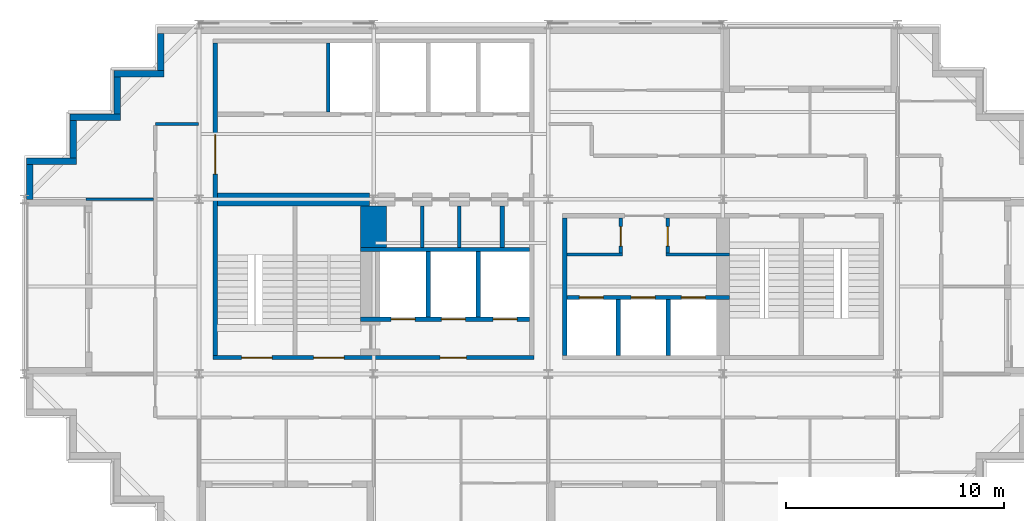
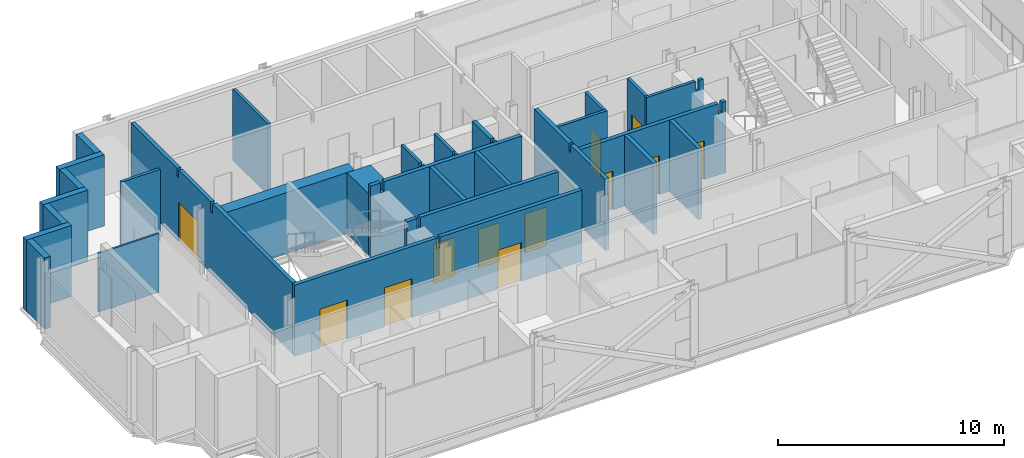
# One storey, part 5 of 9: 29 walls, 12 doors, 12 openings.
"""IFC4 building model written with IfcOpenShell, lengths in metres."""

from ifc_helpers import new_model, si_unit, direction, frame, frame_2d, origin, place, context, subcontext, project, spatial, polyline, rectangle, outline, extrude, material, layer, layer_set, type_object, element, fill, save


model = new_model("IFC4")

# Units and contexts
model_context = context("Model", 3, precision=1e-05, world=origin(), true_north=direction((0.0, 1.0)))
body_context = subcontext(model_context, "Body", "Model", "MODEL_VIEW")
ifc_project = project(units=[si_unit("LENGTHUNIT", "METRE"), si_unit("AREAUNIT", "SQUARE_METRE"), si_unit("VOLUMEUNIT", "CUBIC_METRE"), si_unit("PLANEANGLEUNIT", "RADIAN"), si_unit("MASSUNIT", "GRAM", prefix="KILO")], contexts=[model_context])

# Site, building, storey
site_placement = place(None, origin())
site = spatial("IfcSite", under=ifc_project, at=site_placement, CompositionType="ELEMENT")
building_placement = place(site_placement, origin())
building = spatial("IfcBuilding", under=site, at=building_placement, Name="Immortelle Media Tower", CompositionType="ELEMENT")
storey_placement = place(building_placement, frame((0.0, 0.0, 225.0)))
storey = spatial("IfcBuildingStorey", under=building, at=storey_placement, Name="L48", CompositionType="ELEMENT", Elevation=225.0)

# Walls
ifc_material_1 = material(Name="Fire-rated gypsum board", Category="gypsum")
ifc_layer_1 = layer(ifc_material_1, 0.02490234375)
ifc_material_2 = material(Name="Steel ASTM A653 SS Gr 50 stud frame with mineral wool", Category="steel")
ifc_layer_2 = layer(ifc_material_2, 0.10009765625)
ifc_layer_3 = layer(ifc_material_1, 0.02490234375)
ifc_layer_set_1 = layer_set([ifc_layer_1, ifc_layer_2, ifc_layer_3], Name="Steel ASTM A653 SS Gr 50 stud frame with mineral wool")
wall_type_1 = type_object("IfcWallType", Name="Core partition 150", PredefinedType="PARTITIONING", material=ifc_layer_set_1)
wall_1_placement = place(storey_placement, frame((13.925048828125, 20.0, 0.0), z_axis=(0.0, 0.0, 1.0), x_axis=(0.0, 1.0, 0.0)))
element("IfcWall", 1, at=wall_1_placement, inside=storey, type_object=wall_type_1, Name="Core partition SW", PredefinedType="PARTITIONING", context=body_context, shape_type="SweptSolid", body=[
    extrude(rectangle(XDim=3.14990234375, YDim=0.14990234375, at=frame_2d((1.574951171875, 0.0))), origin(), (0.0, 0.0, 1.0), 3.85009765625),
])
for number, where, z_axis, x_axis, name in (
    (2, (18.22509765625, 13.800048828125, 0.0), (0.0, 0.0, 1.0), (0.0, 1.0, 0.0), "Core partition SW"),
    (3, (19.925048828125, 13.800048828125, 0.0), (0.0, 0.0, 1.0), (0.0, 1.0, 0.0), "Core partition SW"),
):
    element("IfcWall", number, at=place(storey_placement, frame(where, z_axis=z_axis, x_axis=x_axis)), inside=storey, type_object=wall_type_1, Name=name, PredefinedType="PARTITIONING", context=body_context, shape_type="SweptSolid", body=[
        extrude(outline(polyline([(0.0, 0.0), (1.89990234375, 0.0), (1.89990234375, 3.85009765625), (0.27490234375, 3.85009765625), (0.27392578125, 3.43994140625), (0.1259765625, 3.43994140625), (0.125, 3.85009765625), (0.0, 3.85009765625), (0.0, 0.0)])), frame((0.0, 0.074951171875, 0.0), z_axis=(0.0, -1.0, 0.0), x_axis=(1.0, 0.0, 0.0)), (0.0, 0.0, 1.0), 0.14990234375),
    ])
wall_2_placement = place(storey_placement, frame((24.85009765625, 13.47509765625, 0.0), z_axis=(0.0, 0.0, 1.0), x_axis=(1.0, 0.0, 0.0)))
element("IfcWall", 4, at=wall_2_placement, inside=storey, type_object=wall_type_1, Name="Core partition SE", PredefinedType="PARTITIONING", context=body_context, shape_type="SweptSolid", body=[
    extrude(rectangle(XDim=2.5498046875, YDim=0.14990234375, at=frame_2d((1.27490234375, 0.0))), origin(), (0.0, 0.0, 1.0), 3.85009765625),
])

# Wall, opening, door
wall_3_placement = place(storey_placement, frame((27.324951171875, 13.550048828125, 0.0), z_axis=(0.0, 0.0, 1.0), x_axis=(0.0, 1.0, 0.0)))
wall_3 = element("IfcWall", 5, at=wall_3_placement, inside=storey, type_object=wall_type_1, Name="Core partition SE", PredefinedType="PARTITIONING", context=body_context, shape_type="SweptSolid", body=[
    extrude(rectangle(XDim=1.599853515625, YDim=0.14990234375, at=frame_2d((0.7998046875, 0.0))), origin(), (0.0, 0.0, 1.0), 3.85009765625),
])
opening_1_placement = place(wall_3_placement, frame((0.300048828125, 0.0, 0.0)))
opening_1 = element("IfcOpeningElement", 6, at=opening_1_placement, cuts=wall_3, Name="Opening O5-K020", PredefinedType="OPENING", context=body_context, shape_type="SweptSolid", body=[
    extrude(rectangle(XDim=0.89990234375, YDim=2.10009765625, at=frame_2d((0.449951171875, 1.050048828125))), frame((0.0, 0.0849609375, 0.0), z_axis=(0.0, -1.0, 0.0), x_axis=(1.0, 0.0, 0.0)), (0.0, 0.0, 1.0), 0.169921875),
])
ifc_material_3 = material(Name="Galvanised steel door leaf and frame ASTM A653", Category="steel")
door_type_1 = type_object("IfcDoorType", Name="Service door 900 x 2100", OperationType="NOTDEFINED", PredefinedType="NOTDEFINED", material=ifc_material_3)
door_1_placement = place(opening_1_placement, origin())
door_1 = element("IfcDoor", 7, at=door_1_placement, inside=storey, type_object=door_type_1, Name="Service O5-K020", OperationType="SINGLE_SWING_RIGHT", OverallHeight=2.10009765625, OverallWidth=0.89990234375, PredefinedType="NOTDEFINED", context=body_context, shape_type="SweptSolid", body=[
    extrude(rectangle(XDim=0.89990234375, YDim=2.10009765625, at=frame_2d((0.449951171875, 1.050048828125))), frame((0.0, 0.02490234375, 0.0), z_axis=(0.0, -1.0, 0.0), x_axis=(1.0, 0.0, 0.0)), (0.0, 0.0, 1.0), 0.050048828125),
])
fill(opening_1, door_1)

# Wall
wall_4_placement = place(storey_placement, frame((29.39990234375, 13.47509765625, 0.0), z_axis=(0.0, 0.0, 1.0), x_axis=(1.0, 0.0, 0.0)))
element("IfcWall", 8, at=wall_4_placement, inside=storey, type_object=wall_type_1, Name="Core partition SE", PredefinedType="PARTITIONING", context=body_context, shape_type="SweptSolid", body=[
    extrude(outline(polyline([(0.0, 0.0), (2.900146484375, 0.0), (2.89990234375, 3.85009765625), (2.6884765625, 3.85009765625), (2.6875, 3.30810546875), (2.512451171875, 3.30810546875), (2.511474609375, 3.85009765625), (0.0, 3.85009765625), (0.0, 0.0)])), frame((0.0, 0.074951171875, 0.0), z_axis=(0.0, -1.0, 0.0), x_axis=(1.0, 0.0, 0.0)), (0.0, 0.0, 1.0), 0.14990234375),
])

# Wall, opening, door
wall_5_placement = place(storey_placement, frame((29.47509765625, 13.550048828125, 0.0), z_axis=(0.0, 0.0, 1.0), x_axis=(0.0, 1.0, 0.0)))
wall_5 = element("IfcWall", 9, at=wall_5_placement, inside=storey, type_object=wall_type_1, Name="Core partition SE", PredefinedType="PARTITIONING", context=body_context, shape_type="SweptSolid", body=[
    extrude(rectangle(XDim=1.599853515625, YDim=0.14990234375, at=frame_2d((0.7998046875, 0.0))), origin(), (0.0, 0.0, 1.0), 3.85009765625),
])
opening_2_placement = place(wall_5_placement, frame((1.199951171875, 0.0, 0.0), z_axis=(0.0, 0.0, 1.0), x_axis=(-1.0, 0.0, 0.0)))
opening_2 = element("IfcOpeningElement", 10, at=opening_2_placement, cuts=wall_5, Name="Opening O5-K023", PredefinedType="OPENING", context=body_context, shape_type="SweptSolid", body=[
    extrude(rectangle(XDim=0.89990234375, YDim=2.10009765625, at=frame_2d((0.449951171875, 1.050048828125))), frame((0.0, 0.0849609375, 0.0), z_axis=(0.0, -1.0, 0.0), x_axis=(1.0, 0.0, 0.0)), (0.0, 0.0, 1.0), 0.169921875),
])
ifc_material_4 = material(Name="Timber", Category="wood")
door_type_2 = type_object("IfcDoorType", Name="Room door 900 x 2100", OperationType="NOTDEFINED", PredefinedType="NOTDEFINED", material=ifc_material_4)
door_2_placement = place(opening_2_placement, origin())
door_2 = element("IfcDoor", 11, at=door_2_placement, inside=storey, type_object=door_type_2, Name="Room O5-K023", OperationType="SINGLE_SWING_LEFT", OverallHeight=2.10009765625, OverallWidth=0.89990234375, PredefinedType="NOTDEFINED", context=body_context, shape_type="SweptSolid", body=[
    extrude(rectangle(XDim=0.89990234375, YDim=2.10009765625, at=frame_2d((0.449951171875, 1.050048828125))), frame((0.0, 0.02490234375, 0.0), z_axis=(0.0, -1.0, 0.0), x_axis=(1.0, 0.0, 0.0)), (0.0, 0.0, 1.0), 0.050048828125),
])
fill(opening_2, door_2)

# Wall, openings, doors
ifc_layer_4 = layer(ifc_material_1, 0.03759765625)
ifc_layer_5 = layer(ifc_material_2, 0.125)
ifc_layer_6 = layer(ifc_material_1, 0.03759765625)
ifc_layer_set_2 = layer_set([ifc_layer_4, ifc_layer_5, ifc_layer_6], Name="Steel ASTM A653 SS Gr 50 stud frame with mineral wool")
wall_type_2 = type_object("IfcWallType", Name="Core shaft wall 200", PredefinedType="PARTITIONING", material=ifc_layer_set_2)
wall_6_placement = place(storey_placement, frame((15.39990234375, 10.5, 0.0), z_axis=(0.0, 0.0, 1.0), x_axis=(1.0, 0.0, 0.0)))
wall_6 = element("IfcWall", 12, at=wall_6_placement, inside=storey, type_object=wall_type_2, Name="Core shaft wall SW", PredefinedType="PARTITIONING", context=body_context, shape_type="SweptSolid", body=[
    extrude(outline(polyline([(0.0, 0.0), (7.75, 0.0), (7.75, 3.85009765625), (0.6884765625, 3.85009765625), (0.6875, 3.30810546875), (0.512451171875, 3.30810546875), (0.511474609375, 3.85009765625), (0.0, 3.85009765625), (0.0, 0.0)])), frame((0.0, 0.10009765625, 0.0), z_axis=(0.0, -1.0, 0.0), x_axis=(1.0, 0.0, 0.0)), (0.0, 0.0, 1.0), 0.199951171875),
])
opening_3_placement = place(wall_6_placement, frame((1.39990234375, 0.0, 0.0)))
opening_3 = element("IfcOpeningElement", 13, at=opening_3_placement, cuts=wall_6, Name="Opening LD", PredefinedType="OPENING", context=body_context, shape_type="SweptSolid", body=[
    extrude(rectangle(XDim=1.10009765625, YDim=2.10009765625, at=frame_2d((0.550048828125, 1.050048828125))), frame((0.0, 0.10986328125, 0.0), z_axis=(0.0, -1.0, 0.0), x_axis=(1.0, 0.0, 0.0)), (0.0, 0.0, 1.0), 0.219970703125),
])
opening_4_placement = place(wall_6_placement, frame((3.699951171875, 0.0, 0.0)))
opening_4 = element("IfcOpeningElement", 14, at=opening_4_placement, cuts=wall_6, Name="Opening LD", PredefinedType="OPENING", context=body_context, shape_type="SweptSolid", body=[
    extrude(rectangle(XDim=1.10009765625, YDim=2.10009765625, at=frame_2d((0.550048828125, 1.050048828125))), frame((0.0, 0.10986328125, 0.0), z_axis=(0.0, -1.0, 0.0), x_axis=(1.0, 0.0, 0.0)), (0.0, 0.0, 1.0), 0.219970703125),
])
opening_5_placement = place(wall_6_placement, frame((6.074951171875, 0.0, 0.0)))
opening_5 = element("IfcOpeningElement", 15, at=opening_5_placement, cuts=wall_6, Name="Opening LD", PredefinedType="OPENING", context=body_context, shape_type="SweptSolid", body=[
    extrude(rectangle(XDim=1.10009765625, YDim=2.10009765625, at=frame_2d((0.550048828125, 1.050048828125))), frame((0.0, 0.10986328125, 0.0), z_axis=(0.0, -1.0, 0.0), x_axis=(1.0, 0.0, 0.0)), (0.0, 0.0, 1.0), 0.219970703125),
])
ifc_material_5 = material(Name="Stainless steel AISI 304", Category="steel")
door_type_3 = type_object("IfcDoorType", Name="Landing door 1100 x 2100", OperationType="SLIDING_TO_LEFT", PredefinedType="NOTDEFINED", material=ifc_material_5)
door_3_placement = place(opening_3_placement, origin())
door_3 = element("IfcDoor", 16, at=door_3_placement, inside=storey, type_object=door_type_3, Name="Landing door FF1 L48", OperationType="SLIDING_TO_LEFT", OverallHeight=2.10009765625, OverallWidth=1.10009765625, PredefinedType="NOTDEFINED", context=body_context, shape_type="SweptSolid", body=[
    extrude(rectangle(XDim=1.10009765625, YDim=2.10009765625, at=frame_2d((0.550048828125, 1.050048828125))), frame((0.0, 0.02490234375, 0.0), z_axis=(0.0, -1.0, 0.0), x_axis=(1.0, 0.0, 0.0)), (0.0, 0.0, 1.0), 0.050048828125),
])
fill(opening_3, door_3)
door_4_placement = place(opening_4_placement, origin())
door_4 = element("IfcDoor", 17, at=door_4_placement, inside=storey, type_object=door_type_3, Name="Landing door FF2 L48", OperationType="SLIDING_TO_LEFT", OverallHeight=2.10009765625, OverallWidth=1.10009765625, PredefinedType="NOTDEFINED", context=body_context, shape_type="SweptSolid", body=[
    extrude(rectangle(XDim=1.10009765625, YDim=2.10009765625, at=frame_2d((0.550048828125, 1.050048828125))), frame((0.0, 0.02490234375, 0.0), z_axis=(0.0, -1.0, 0.0), x_axis=(1.0, 0.0, 0.0)), (0.0, 0.0, 1.0), 0.050048828125),
])
fill(opening_4, door_4)
door_5_placement = place(opening_5_placement, origin())
door_5 = element("IfcDoor", 18, at=door_5_placement, inside=storey, type_object=door_type_3, Name="Landing door FF3 L48", OperationType="SLIDING_TO_LEFT", OverallHeight=2.10009765625, OverallWidth=1.10009765625, PredefinedType="NOTDEFINED", context=body_context, shape_type="SweptSolid", body=[
    extrude(rectangle(XDim=1.10009765625, YDim=2.10009765625, at=frame_2d((0.550048828125, 1.050048828125))), frame((0.0, 0.02490234375, 0.0), z_axis=(0.0, -1.0, 0.0), x_axis=(1.0, 0.0, 0.0)), (0.0, 0.0, 1.0), 0.050048828125),
])
fill(opening_5, door_5)

# Walls
wall_7_placement = place(storey_placement, frame((15.39990234375, 13.699951171875, 0.0), z_axis=(0.0, 0.0, 1.0), x_axis=(1.0, 0.0, 0.0)))
element("IfcWall", 19, at=wall_7_placement, inside=storey, type_object=wall_type_2, Name="Core shaft wall SW", PredefinedType="PARTITIONING", context=body_context, shape_type="SweptSolid", body=[
    extrude(outline(polyline([(0.0, 0.0), (7.75, 0.0), (7.75, 3.85009765625), (0.6884765625, 3.85009765625), (0.6875, 3.30810546875), (0.512451171875, 3.30810546875), (0.511474609375, 3.85009765625), (0.0, 3.85009765625), (0.0, 0.0)])), frame((0.0, 0.10009765625, 0.0), z_axis=(0.0, -1.0, 0.0), x_axis=(1.0, 0.0, 0.0)), (0.0, 0.0, 1.0), 0.199951171875),
])
for number, where, z_axis, x_axis, name in (
    (20, (18.5, 10.60009765625, 0.0), (0.0, 0.0, 1.0), (0.0, 1.0, 0.0), "Core shaft wall SW"),
    (21, (20.800048828125, 10.60009765625, 0.0), (0.0, 0.0, 1.0), (0.0, 1.0, 0.0), "Core shaft wall SW"),
):
    element("IfcWall", number, at=place(storey_placement, frame(where, z_axis=z_axis, x_axis=x_axis)), inside=storey, type_object=wall_type_2, Name=name, PredefinedType="PARTITIONING", context=body_context, shape_type="SweptSolid", body=[
        extrude(rectangle(XDim=3.0, YDim=0.199951171875, at=frame_2d((1.5, 0.0))), origin(), (0.0, 0.0, 1.0), 3.85009765625),
    ])
wall_8_placement = place(storey_placement, frame((21.89990234375, 13.800048828125, 0.0), z_axis=(0.0, 0.0, 1.0), x_axis=(0.0, 1.0, 0.0)))
element("IfcWall", 22, at=wall_8_placement, inside=storey, type_object=wall_type_2, Name="Core shaft wall SW", PredefinedType="PARTITIONING", context=body_context, shape_type="SweptSolid", body=[
    extrude(outline(polyline([(0.0, 0.0), (1.89990234375, 0.0), (1.89990234375, 3.85009765625), (0.27490234375, 3.85009765625), (0.27392578125, 3.43994140625), (0.1259765625, 3.43994140625), (0.125, 3.85009765625), (0.0, 3.85009765625), (0.0, 0.0)])), frame((0.0, 0.10009765625, 0.0), z_axis=(0.0, -1.0, 0.0), x_axis=(1.0, 0.0, 0.0)), (0.0, 0.0, 1.0), 0.199951171875),
])
wall_9_placement = place(storey_placement, frame((24.75, 8.85009765625, 0.0), z_axis=(0.0, 0.0, 1.0), x_axis=(0.0, 1.0, 0.0)))
element("IfcWall", 23, at=wall_9_placement, inside=storey, type_object=wall_type_2, Name="Core shaft wall SE", PredefinedType="PARTITIONING", context=body_context, shape_type="SweptSolid", body=[
    extrude(outline(polyline([(0.0, 0.0), (6.2998046875, 0.0), (6.300048828125, 3.85009765625), (3.22509765625, 3.85009765625), (3.22412109375, 3.43994140625), (3.075927734375, 3.43994140625), (3.074951171875, 3.85009765625), (0.0, 3.85009765625), (0.0, 0.0)])), frame((0.0, 0.10009765625, 0.0), z_axis=(0.0, -1.0, 0.0), x_axis=(1.0, 0.0, 0.0)), (0.0, 0.0, 1.0), 0.199951171875),
])

# Wall, openings, doors
wall_10_placement = place(storey_placement, frame((24.85009765625, 11.5, 0.0), z_axis=(0.0, 0.0, 1.0), x_axis=(1.0, 0.0, 0.0)))
wall_10 = element("IfcWall", 24, at=wall_10_placement, inside=storey, type_object=wall_type_2, Name="Core shaft wall SE", PredefinedType="PARTITIONING", context=body_context, shape_type="SweptSolid", body=[
    extrude(outline(polyline([(0.0, 0.0), (7.449951171875, 0.0), (7.449951171875, 3.85009765625), (7.238525390625, 3.85009765625), (7.237548828125, 3.30810546875), (7.0625, 3.30810546875), (7.0615234375, 3.85009765625), (0.0, 3.85009765625), (0.0, 0.0)])), frame((0.0, 0.10009765625, 0.0), z_axis=(0.0, -1.0, 0.0), x_axis=(1.0, 0.0, 0.0)), (0.0, 0.0, 1.0), 0.199951171875),
])
opening_6_placement = place(wall_10_placement, frame((0.574951171875, 0.0, 0.0)))
opening_6 = element("IfcOpeningElement", 25, at=opening_6_placement, cuts=wall_10, Name="Opening LD", PredefinedType="OPENING", context=body_context, shape_type="SweptSolid", body=[
    extrude(rectangle(XDim=1.10009765625, YDim=2.10009765625, at=frame_2d((0.550048828125, 1.050048828125))), frame((0.0, 0.10986328125, 0.0), z_axis=(0.0, -1.0, 0.0), x_axis=(1.0, 0.0, 0.0)), (0.0, 0.0, 1.0), 0.219970703125),
])
opening_7_placement = place(wall_10_placement, frame((2.949951171875, 0.0, 0.0)))
opening_7 = element("IfcOpeningElement", 26, at=opening_7_placement, cuts=wall_10, Name="Opening LD", PredefinedType="OPENING", context=body_context, shape_type="SweptSolid", body=[
    extrude(rectangle(XDim=1.10009765625, YDim=2.10009765625, at=frame_2d((0.550048828125, 1.050048828125))), frame((0.0, 0.10986328125, 0.0), z_axis=(0.0, -1.0, 0.0), x_axis=(1.0, 0.0, 0.0)), (0.0, 0.0, 1.0), 0.219970703125),
])
opening_8_placement = place(wall_10_placement, frame((5.25, 0.0, 0.0)))
opening_8 = element("IfcOpeningElement", 27, at=opening_8_placement, cuts=wall_10, Name="Opening LD", PredefinedType="OPENING", context=body_context, shape_type="SweptSolid", body=[
    extrude(rectangle(XDim=1.10009765625, YDim=2.10009765625, at=frame_2d((0.550048828125, 1.050048828125))), frame((0.0, 0.10986328125, 0.0), z_axis=(0.0, -1.0, 0.0), x_axis=(1.0, 0.0, 0.0)), (0.0, 0.0, 1.0), 0.219970703125),
])
door_6_placement = place(opening_6_placement, origin())
door_6 = element("IfcDoor", 28, at=door_6_placement, inside=storey, type_object=door_type_3, Name="Landing door HS1 L48", OperationType="SLIDING_TO_LEFT", OverallHeight=2.10009765625, OverallWidth=1.10009765625, PredefinedType="NOTDEFINED", context=body_context, shape_type="SweptSolid", body=[
    extrude(rectangle(XDim=1.10009765625, YDim=2.10009765625, at=frame_2d((0.550048828125, 1.050048828125))), frame((0.0, 0.02490234375, 0.0), z_axis=(0.0, -1.0, 0.0), x_axis=(1.0, 0.0, 0.0)), (0.0, 0.0, 1.0), 0.050048828125),
])
fill(opening_6, door_6)
door_7_placement = place(opening_7_placement, origin())
door_7 = element("IfcDoor", 29, at=door_7_placement, inside=storey, type_object=door_type_3, Name="Landing door HS2 L48", OperationType="SLIDING_TO_LEFT", OverallHeight=2.10009765625, OverallWidth=1.10009765625, PredefinedType="NOTDEFINED", context=body_context, shape_type="SweptSolid", body=[
    extrude(rectangle(XDim=1.10009765625, YDim=2.10009765625, at=frame_2d((0.550048828125, 1.050048828125))), frame((0.0, 0.02490234375, 0.0), z_axis=(0.0, -1.0, 0.0), x_axis=(1.0, 0.0, 0.0)), (0.0, 0.0, 1.0), 0.050048828125),
])
fill(opening_7, door_7)
door_8_placement = place(opening_8_placement, origin())
door_8 = element("IfcDoor", 30, at=door_8_placement, inside=storey, type_object=door_type_3, Name="Landing door HS3 L48", OperationType="SLIDING_TO_LEFT", OverallHeight=2.10009765625, OverallWidth=1.10009765625, PredefinedType="NOTDEFINED", context=body_context, shape_type="SweptSolid", body=[
    extrude(rectangle(XDim=1.10009765625, YDim=2.10009765625, at=frame_2d((0.550048828125, 1.050048828125))), frame((0.0, 0.02490234375, 0.0), z_axis=(0.0, -1.0, 0.0), x_axis=(1.0, 0.0, 0.0)), (0.0, 0.0, 1.0), 0.050048828125),
])
fill(opening_8, door_8)

# Walls
for number, where, z_axis, x_axis, name in (
    (31, (27.199951171875, 8.85009765625, 0.0), (0.0, 0.0, 1.0), (0.0, 1.0, 0.0), "Core shaft wall SE"),
    (32, (29.5, 8.85009765625, 0.0), (0.0, 0.0, 1.0), (0.0, 1.0, 0.0), "Core shaft wall SE"),
):
    element("IfcWall", number, at=place(storey_placement, frame(where, z_axis=z_axis, x_axis=x_axis)), inside=storey, type_object=wall_type_2, Name=name, PredefinedType="PARTITIONING", context=body_context, shape_type="SweptSolid", body=[
        extrude(rectangle(XDim=2.5498046875, YDim=0.199951171875, at=frame_2d((1.27490234375, 0.0))), origin(), (0.0, 0.0, 1.0), 3.85009765625),
    ])
ifc_layer_7 = layer(ifc_material_1, 0.012451171875)
ifc_layer_8 = layer(ifc_material_2, 0.125)
ifc_layer_9 = layer(ifc_material_1, 0.012451171875)
ifc_layer_set_3 = layer_set([ifc_layer_7, ifc_layer_8, ifc_layer_9], Name="Steel ASTM A653 SS Gr 50 stud frame with mineral wool")
wall_type_3 = type_object("IfcWallType", Name="Corridor wall 150", PredefinedType="PARTITIONING", material=ifc_layer_set_3)
wall_11_placement = place(storey_placement, frame((6.0, 19.449951171875, 0.0), z_axis=(0.0, 0.0, 1.0), x_axis=(1.0, 0.0, 0.0)))
element("IfcWall", 33, at=wall_11_placement, inside=storey, type_object=wall_type_3, Name="Partition L48-031", PredefinedType="PARTITIONING", context=body_context, shape_type="SweptSolid", body=[
    extrude(rectangle(XDim=1.969970703125, YDim=0.14990234375, at=frame_2d((0.98486328125, 0.0))), origin(), (0.0, 0.0, 1.0), 3.85009765625),
])
ifc_material_6 = material(Name="Pale aluminium cladding panel", Category="aluminium")
ifc_layer_10 = layer(ifc_material_6, 0.030029296875)
ifc_layer_11 = layer(ifc_material_2, 0.257568359375)
ifc_material_7 = material(Name="Moisture-resistant gypsum board", Category="gypsum")
ifc_layer_12 = layer(ifc_material_7, 0.012451171875)
ifc_layer_set_4 = layer_set([ifc_layer_10, ifc_layer_11, ifc_layer_12], Name="Steel ASTM A653 SS Gr 50 stud frame with mineral wool")
wall_type_4 = type_object("IfcWallType", Name="Facade wall 300", PredefinedType="SOLIDWALL", material=ifc_layer_set_4)
wall_12_placement = place(storey_placement, frame((6.25, 23.60009765625, 0.0), z_axis=(0.0, 0.0, 1.0), x_axis=(0.0, -1.0, 0.0)))
element("IfcWall", 34, at=wall_12_placement, inside=storey, type_object=wall_type_4, Name="Facade wall L48 W21", PredefinedType="SOLIDWALL", context=body_context, shape_type="SweptSolid", body=[
    extrude(rectangle(XDim=1.7001953125, YDim=0.300048828125, at=frame_2d((0.85009765625, 0.0))), origin(), (0.0, 0.0, 1.0), 3.85009765625),
])
wall_13_placement = place(storey_placement, frame((6.39990234375, 21.75, 0.0), z_axis=(0.0, 0.0, 1.0), x_axis=(-1.0, 0.0, 0.0)))
element("IfcWall", 35, at=wall_13_placement, inside=storey, type_object=wall_type_4, Name="Facade wall L48 N22", PredefinedType="SOLIDWALL", context=body_context, shape_type="SweptSolid", body=[
    extrude(rectangle(XDim=2.2998046875, YDim=0.300048828125, at=frame_2d((1.14990234375, 0.0))), origin(), (0.0, 0.0, 1.0), 3.85009765625),
])
wall_14_placement = place(storey_placement, frame((4.25, 21.60009765625, 0.0), z_axis=(0.0, 0.0, 1.0), x_axis=(0.0, -1.0, 0.0)))
element("IfcWall", 36, at=wall_14_placement, inside=storey, type_object=wall_type_4, Name="Facade wall L48 W23", PredefinedType="SOLIDWALL", context=body_context, shape_type="SweptSolid", body=[
    extrude(rectangle(XDim=1.7001953125, YDim=0.300048828125, at=frame_2d((0.85009765625, 0.0))), origin(), (0.0, 0.0, 1.0), 3.85009765625),
])
wall_15_placement = place(storey_placement, frame((4.39990234375, 19.75, 0.0), z_axis=(0.0, 0.0, 1.0), x_axis=(-1.0, 0.0, 0.0)))
element("IfcWall", 37, at=wall_15_placement, inside=storey, type_object=wall_type_4, Name="Facade wall L48 N24", PredefinedType="SOLIDWALL", context=body_context, shape_type="SweptSolid", body=[
    extrude(rectangle(XDim=2.2998046875, YDim=0.300048828125, at=frame_2d((1.14990234375, 0.0))), origin(), (0.0, 0.0, 1.0), 3.85009765625),
])
wall_16_placement = place(storey_placement, frame((2.25, 19.60009765625, 0.0), z_axis=(0.0, 0.0, 1.0), x_axis=(0.0, -1.0, 0.0)))
element("IfcWall", 38, at=wall_16_placement, inside=storey, type_object=wall_type_4, Name="Facade wall L48 W25", PredefinedType="SOLIDWALL", context=body_context, shape_type="SweptSolid", body=[
    extrude(rectangle(XDim=1.7001953125, YDim=0.300048828125, at=frame_2d((0.85009765625, 0.0))), origin(), (0.0, 0.0, 1.0), 3.85009765625),
])
wall_17_placement = place(storey_placement, frame((2.39990234375, 17.75, 0.0), z_axis=(0.0, 0.0, 1.0), x_axis=(-1.0, 0.0, 0.0)))
element("IfcWall", 39, at=wall_17_placement, inside=storey, type_object=wall_type_4, Name="Facade wall L48 N26", PredefinedType="SOLIDWALL", context=body_context, shape_type="SweptSolid", body=[
    extrude(rectangle(XDim=2.2998046875, YDim=0.300048828125, at=frame_2d((1.14990234375, 0.0))), origin(), (0.0, 0.0, 1.0), 3.85009765625),
])
wall_18_placement = place(storey_placement, frame((0.25, 17.60009765625, 0.0), z_axis=(0.0, 0.0, 1.0), x_axis=(0.0, -1.0, 0.0)))
element("IfcWall", 40, at=wall_18_placement, inside=storey, type_object=wall_type_4, Name="Facade wall L48 W27", PredefinedType="SOLIDWALL", context=body_context, shape_type="SweptSolid", body=[
    extrude(rectangle(XDim=1.60009765625, YDim=0.300048828125, at=frame_2d((0.800048828125, 0.0))), origin(), (0.0, 0.0, 1.0), 3.85009765625),
])
ifc_material_8 = material(Name="Gypsum board", Category="gypsum")
ifc_layer_13 = layer(ifc_material_8, 0.012451171875)
ifc_layer_14 = layer(ifc_material_2, 0.074951171875)
ifc_layer_15 = layer(ifc_material_8, 0.012451171875)
ifc_layer_set_5 = layer_set([ifc_layer_13, ifc_layer_14, ifc_layer_15], Name="Steel ASTM A653 SS Gr 50 stud frame with mineral wool")
wall_type_5 = type_object("IfcWallType", Name="Partition 100", PredefinedType="PARTITIONING", material=ifc_layer_set_5)
wall_19_placement = place(storey_placement, frame((2.830078125, 16.0, 0.0), z_axis=(0.0, 0.0, 1.0), x_axis=(1.0, 0.0, 0.0)))
element("IfcWall", 41, at=wall_19_placement, inside=storey, type_object=wall_type_5, Name="Partition L48-021", PredefinedType="PARTITIONING", context=body_context, shape_type="SweptSolid", body=[
    extrude(rectangle(XDim=3.094970703125, YDim=0.10009765625, at=frame_2d((1.54736328125, 0.0))), origin(), (0.0, 0.0, 1.0), 3.172119140625),
])
ifc_material_9 = material(Name="Concrete C60", Category="concrete")
ifc_layer_16 = layer(ifc_material_9, 1.199951171875)
ifc_layer_set_6 = layer_set([ifc_layer_16], Name="Concrete C60")
wall_type_6 = type_object("IfcWallType", Name="Stair shaft wall 1200", PredefinedType="PARTITIONING", material=ifc_layer_set_6)
wall_20_placement = place(storey_placement, frame((16.0, 13.800048828125, 0.0), z_axis=(0.0, 0.0, 1.0), x_axis=(0.0, 1.0, 0.0)))
element("IfcWall", 42, at=wall_20_placement, inside=storey, type_object=wall_type_6, Name="Stair shaft wall SW", PredefinedType="PARTITIONING", context=body_context, shape_type="SweptSolid", body=[
    extrude(rectangle(XDim=1.89990234375, YDim=1.199951171875, at=frame_2d((0.949951171875, 0.0))), origin(), (0.0, 0.0, 1.0), 3.30810546875),
])

# Wall, openings, doors
ifc_layer_17 = layer(ifc_material_9, 0.199951171875)
ifc_layer_set_7 = layer_set([ifc_layer_17], Name="Concrete C60")
wall_type_7 = type_object("IfcWallType", Name="Stair shaft wall 200", PredefinedType="PARTITIONING", material=ifc_layer_set_7)
wall_21_placement = place(storey_placement, frame((8.64990234375, 8.75, 0.0), z_axis=(0.0, 0.0, 1.0), x_axis=(1.0, 0.0, 0.0)))
wall_21 = element("IfcWall", 43, at=wall_21_placement, inside=storey, type_object=wall_type_7, Name="Stair shaft wall SW", PredefinedType="PARTITIONING", context=body_context, shape_type="SweptSolid", body=[
    extrude(outline(polyline([(0.0, 0.0), (14.7001953125, 0.0), (14.699951171875, 3.85009765625), (7.4384765625, 3.85009765625), (7.4375, 3.30810546875), (7.262451171875, 3.30810546875), (7.261474609375, 3.85009765625), (0.0, 3.85009765625), (0.0, 0.0)])), frame((0.0, 0.10009765625, 0.0), z_axis=(0.0, -1.0, 0.0), x_axis=(1.0, 0.0, 0.0)), (0.0, 0.0, 1.0), 0.199951171875),
])
opening_9_placement = place(wall_21_placement, frame((1.300048828125, 0.0, 0.0)))
opening_9 = element("IfcOpeningElement", 44, at=opening_9_placement, cuts=wall_21, Name="Opening O5-K002", PredefinedType="OPENING", context=body_context, shape_type="SweptSolid", body=[
    extrude(rectangle(XDim=1.39990234375, YDim=2.10009765625, at=frame_2d((0.699951171875, 1.050048828125))), frame((0.0, 0.10986328125, 0.0), z_axis=(0.0, -1.0, 0.0), x_axis=(1.0, 0.0, 0.0)), (0.0, 0.0, 1.0), 0.219970703125),
])
opening_10_placement = place(wall_21_placement, frame((4.60009765625, 0.0, 0.0)))
opening_10 = element("IfcOpeningElement", 45, at=opening_10_placement, cuts=wall_21, Name="Opening O5-K004", PredefinedType="OPENING", context=body_context, shape_type="SweptSolid", body=[
    extrude(rectangle(XDim=1.39990234375, YDim=2.10009765625, at=frame_2d((0.699951171875, 1.050048828125))), frame((0.0, 0.10986328125, 0.0), z_axis=(0.0, -1.0, 0.0), x_axis=(1.0, 0.0, 0.0)), (0.0, 0.0, 1.0), 0.219970703125),
])
opening_11_placement = place(wall_21_placement, frame((10.39990234375, 0.0, 0.0)))
opening_11 = element("IfcOpeningElement", 46, at=opening_11_placement, cuts=wall_21, Name="Opening O5-K011", PredefinedType="OPENING", context=body_context, shape_type="SweptSolid", body=[
    extrude(rectangle(XDim=1.199951171875, YDim=2.10009765625, at=frame_2d((0.60009765625, 1.050048828125))), frame((0.0, 0.10986328125, 0.0), z_axis=(0.0, -1.0, 0.0), x_axis=(1.0, 0.0, 0.0)), (0.0, 0.0, 1.0), 0.219970703125),
])
door_type_4 = type_object("IfcDoorType", Name="Fire-fighting lobby door 1200 x 2100", OperationType="NOTDEFINED", PredefinedType="NOTDEFINED", material=ifc_material_3)
door_9_placement = place(opening_11_placement, origin())
door_9 = element("IfcDoor", 47, at=door_9_placement, inside=storey, type_object=door_type_4, Name="Fire-fighting lobby O5-K011", OperationType="SINGLE_SWING_RIGHT", OverallHeight=2.10009765625, OverallWidth=1.199951171875, PredefinedType="NOTDEFINED", context=body_context, shape_type="SweptSolid", body=[
    extrude(rectangle(XDim=1.199951171875, YDim=2.10009765625, at=frame_2d((0.60009765625, 1.050048828125))), frame((0.0, 0.02490234375, 0.0), z_axis=(0.0, -1.0, 0.0), x_axis=(1.0, 0.0, 0.0)), (0.0, 0.0, 1.0), 0.050048828125),
])
fill(opening_11, door_9)
door_type_5 = type_object("IfcDoorType", Name="Stair door 1400 x 2100", OperationType="DOUBLE_DOOR_SINGLE_SWING", PredefinedType="NOTDEFINED", material=ifc_material_3)
door_10_placement = place(opening_9_placement, origin())
door_10 = element("IfcDoor", 48, at=door_10_placement, inside=storey, type_object=door_type_5, Name="Stair O5-K002", OperationType="DOUBLE_DOOR_SINGLE_SWING", OverallHeight=2.10009765625, OverallWidth=1.39990234375, PredefinedType="NOTDEFINED", context=body_context, shape_type="SweptSolid", body=[
    extrude(rectangle(XDim=1.39990234375, YDim=2.10009765625, at=frame_2d((0.699951171875, 1.050048828125))), frame((0.0, 0.02490234375, 0.0), z_axis=(0.0, -1.0, 0.0), x_axis=(1.0, 0.0, 0.0)), (0.0, 0.0, 1.0), 0.050048828125),
])
fill(opening_9, door_10)
door_11_placement = place(opening_10_placement, origin())
door_11 = element("IfcDoor", 49, at=door_11_placement, inside=storey, type_object=door_type_5, Name="Stair O5-K004", OperationType="DOUBLE_DOOR_SINGLE_SWING", OverallHeight=2.10009765625, OverallWidth=1.39990234375, PredefinedType="NOTDEFINED", context=body_context, shape_type="SweptSolid", body=[
    extrude(rectangle(XDim=1.39990234375, YDim=2.10009765625, at=frame_2d((0.699951171875, 1.050048828125))), frame((0.0, 0.02490234375, 0.0), z_axis=(0.0, -1.0, 0.0), x_axis=(1.0, 0.0, 0.0)), (0.0, 0.0, 1.0), 0.050048828125),
])
fill(opening_10, door_11)

# Wall, opening, door
wall_22_placement = place(storey_placement, frame((8.75, 8.85009765625, 0.0), z_axis=(0.0, 0.0, 1.0), x_axis=(0.0, 1.0, 0.0)))
wall_22 = element("IfcWall", 50, at=wall_22_placement, inside=storey, type_object=wall_type_7, Name="Stair shaft wall SW", PredefinedType="PARTITIONING", context=body_context, shape_type="SweptSolid", body=[
    extrude(outline(polyline([(0.0, 0.0), (14.2998046875, 0.0), (14.300048828125, 3.85009765625), (10.22509765625, 3.85009765625), (10.22412109375, 3.43994140625), (10.075927734375, 3.43994140625), (10.074951171875, 3.85009765625), (7.238525390625, 3.85009765625), (7.237548828125, 3.30810546875), (7.0625, 3.30810546875), (7.0615234375, 3.85009765625), (0.0, 3.85009765625), (0.0, 0.0)])), frame((0.0, 0.10009765625, 0.0), z_axis=(0.0, -1.0, 0.0), x_axis=(1.0, 0.0, 0.0)), (0.0, 0.0, 1.0), 0.199951171875),
])
opening_12_placement = place(wall_22_placement, frame((8.300048828125, 0.0, 0.0)))
opening_12 = element("IfcOpeningElement", 51, at=opening_12_placement, cuts=wall_22, Name="Opening O5-K001", PredefinedType="OPENING", context=body_context, shape_type="SweptSolid", body=[
    extrude(rectangle(XDim=1.800048828125, YDim=2.10009765625, at=frame_2d((0.89990234375, 1.050048828125))), frame((0.0, 0.10986328125, 0.0), z_axis=(0.0, -1.0, 0.0), x_axis=(1.0, 0.0, 0.0)), (0.0, 0.0, 1.0), 0.219970703125),
])
door_type_6 = type_object("IfcDoorType", Name="Lift lobby door 1800 x 2100", OperationType="DOUBLE_DOOR_SINGLE_SWING", PredefinedType="NOTDEFINED", material=ifc_material_3)
door_12_placement = place(opening_12_placement, origin())
door_12 = element("IfcDoor", 52, at=door_12_placement, inside=storey, type_object=door_type_6, Name="Lift lobby O5-K001", OperationType="DOUBLE_DOOR_SINGLE_SWING", OverallHeight=2.10009765625, OverallWidth=1.800048828125, PredefinedType="NOTDEFINED", context=body_context, shape_type="SweptSolid", body=[
    extrude(rectangle(XDim=1.800048828125, YDim=2.10009765625, at=frame_2d((0.89990234375, 1.050048828125))), frame((0.0, 0.02490234375, 0.0), z_axis=(0.0, -1.0, 0.0), x_axis=(1.0, 0.0, 0.0)), (0.0, 0.0, 1.0), 0.050048828125),
])
fill(opening_12, door_12)

# Wall
ifc_layer_18 = layer(ifc_material_9, 0.60009765625)
ifc_layer_set_8 = layer_set([ifc_layer_18], Name="Concrete C60")
wall_type_8 = type_object("IfcWallType", Name="Stair shaft wall 600", PredefinedType="PARTITIONING", material=ifc_layer_set_8)
wall_23_placement = place(storey_placement, frame((8.85009765625, 16.0, 0.0), z_axis=(0.0, 0.0, 1.0), x_axis=(1.0, 0.0, 0.0)))
element("IfcWall", 53, at=wall_23_placement, inside=storey, type_object=wall_type_8, Name="Stair shaft wall SW", PredefinedType="PARTITIONING", context=body_context, shape_type="SweptSolid", body=[
    extrude(rectangle(XDim=6.953369140625, YDim=0.60009765625, at=frame_2d((3.4765625, 0.0))), origin(), (0.0, 0.0, 1.0), 3.30810546875),
])

save(model, "model.ifc")
